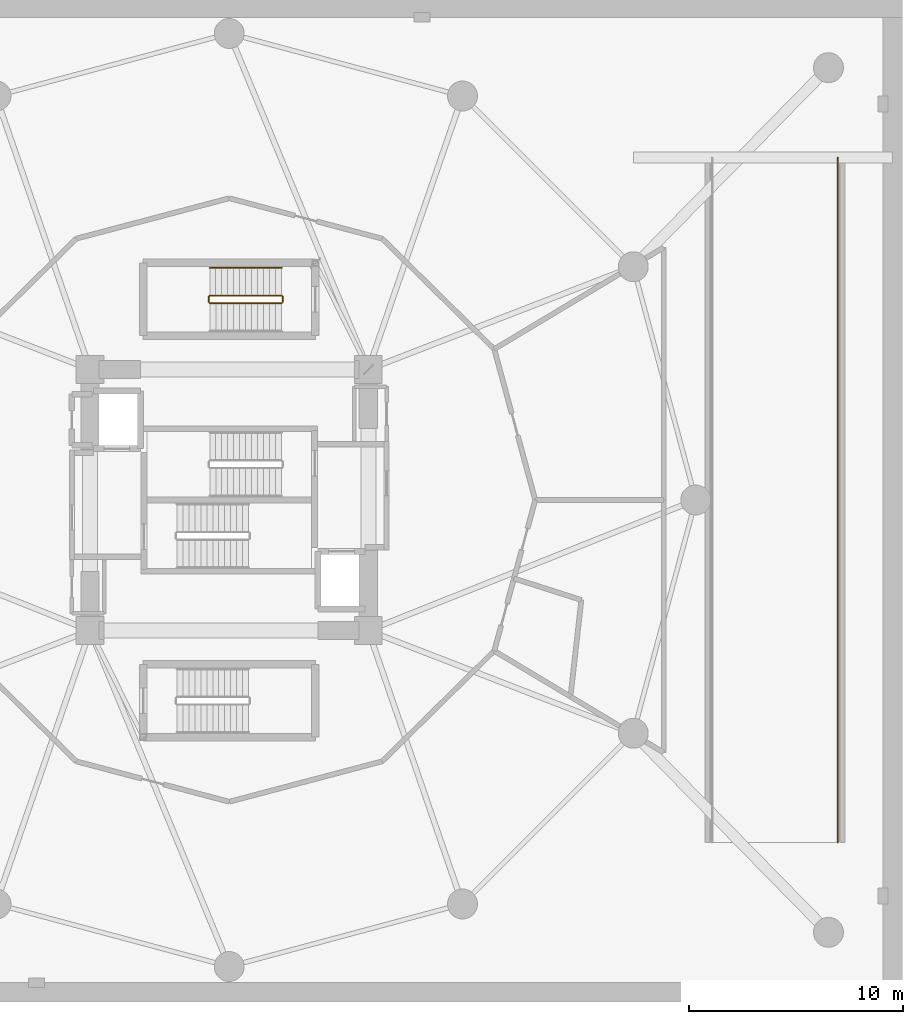
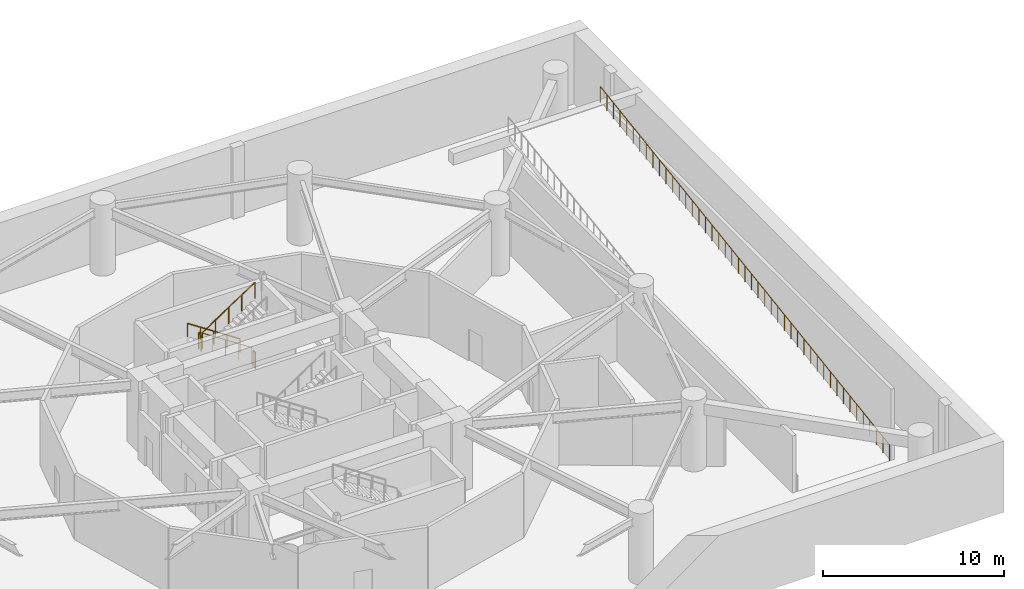
# One storey, part 10 of 10: 6 railings.
"""IFC4 building model written with IfcOpenShell, lengths in metres."""

from ifc_helpers import new_model, si_unit, direction, frame, origin, origin_2d, place, context, subcontext, project, spatial, circle, extrude, material, type_object, element, save


model = new_model("IFC4")

# Units and contexts
model_context = context("Model", 3, precision=1e-05, world=origin(), true_north=direction((0.0, 1.0)))
body_context = subcontext(model_context, "Body", "Model", "MODEL_VIEW")
ifc_project = project(units=[si_unit("LENGTHUNIT", "METRE"), si_unit("AREAUNIT", "SQUARE_METRE"), si_unit("VOLUMEUNIT", "CUBIC_METRE"), si_unit("PLANEANGLEUNIT", "RADIAN"), si_unit("MASSUNIT", "GRAM", prefix="KILO")], contexts=[model_context])

# Site, building, storey
site_placement = place(None, origin())
site = spatial("IfcSite", under=ifc_project, at=site_placement, CompositionType="ELEMENT")
building_placement = place(site_placement, origin())
building = spatial("IfcBuilding", under=site, at=building_placement, Name="Solvirekh Grand Hotel", CompositionType="ELEMENT")
storey_placement = place(building_placement, frame((0.0, 0.0, -4.800048828125)))
storey = spatial("IfcBuildingStorey", under=building, at=storey_placement, Name="B01", CompositionType="ELEMENT", Elevation=-4.800048828125)

# Railings
ifc_material_1 = material(Name="Steel S355", Category="steel")
railing_type_1 = type_object("IfcRailingType", Name="Guard_Stair_1100", PredefinedType="GUARDRAIL", material=ifc_material_1)
railing_1_placement = place(storey_placement, frame((28.43994140625, -16.0, 0.0)))
element("IfcRailing", 1, at=railing_1_placement, inside=storey, type_object=railing_type_1, Name="B01 vehicle ramp R2 E edge safety guardrail", PredefinedType="GUARDRAIL", context=body_context, shape_type="SweptSolid", body=[
    extrude(circle(Radius=0.02392578125, at=origin_2d()), frame((0.0, 0.0, 1.076171875), z_axis=(0.0, 0.988935024618, 0.148349307663), x_axis=(-1.0, 0.0, 0.0)), (0.0, 0.0, 1.0), 16.178955078125),
    extrude(circle(Radius=0.02392578125, at=origin_2d()), frame((0.0, 16.0, 3.47607421875), z_axis=(0.0, 0.988937238327, 0.148334549755), x_axis=(-1.0, 0.0, 0.0)), (0.0, 0.0, 1.0), 16.178955078125),
    extrude(circle(Radius=0.02099609375, at=origin_2d()), origin(), (0.0, 0.0, 1.0), 1.052001953125),
    extrude(circle(Radius=0.02099609375, at=origin_2d()), frame((0.0, 0.727294921875, 0.109130859375)), (0.0, 0.0, 1.0), 1.052001953125),
    extrude(circle(Radius=0.02099609375, at=origin_2d()), frame((0.0, 1.45458984375, 0.21826171875)), (0.0, 0.0, 1.0), 1.052001953125),
    extrude(circle(Radius=0.02099609375, at=origin_2d()), frame((0.0, 2.181884765625, 0.327392578125)), (0.0, 0.0, 1.0), 1.052001953125),
    extrude(circle(Radius=0.02099609375, at=origin_2d()), frame((0.0, 2.9091796875, 0.436279296875)), (0.0, 0.0, 1.0), 1.052001953125),
    extrude(circle(Radius=0.02099609375, at=origin_2d()), frame((0.0, 3.636474609375, 0.54541015625)), (0.0, 0.0, 1.0), 1.052001953125),
    extrude(circle(Radius=0.02099609375, at=origin_2d()), frame((0.0, 4.363525390625, 0.654541015625)), (0.0, 0.0, 1.0), 1.052001953125),
    extrude(circle(Radius=0.02099609375, at=origin_2d()), frame((0.0, 5.0908203125, 0.763671875)), (0.0, 0.0, 1.0), 1.052001953125),
    extrude(circle(Radius=0.02099609375, at=origin_2d()), frame((0.0, 5.818115234375, 0.872802734375)), (0.0, 0.0, 1.0), 1.052001953125),
    extrude(circle(Radius=0.02099609375, at=origin_2d()), frame((0.0, 6.54541015625, 0.98193359375)), (0.0, 0.0, 1.0), 1.052001953125),
    extrude(circle(Radius=0.02099609375, at=origin_2d()), frame((0.0, 7.272705078125, 1.091064453125)), (0.0, 0.0, 1.0), 1.052001953125),
    extrude(circle(Radius=0.02099609375, at=origin_2d()), frame((0.0, 8.0, 1.2001953125)), (0.0, 0.0, 1.0), 1.052001953125),
    extrude(circle(Radius=0.02099609375, at=origin_2d()), frame((0.0, 8.727294921875, 1.30908203125)), (0.0, 0.0, 1.0), 1.052001953125),
    extrude(circle(Radius=0.02099609375, at=origin_2d()), frame((0.0, 9.45458984375, 1.418212890625)), (0.0, 0.0, 1.0), 1.052001953125),
    extrude(circle(Radius=0.02099609375, at=origin_2d()), frame((0.0, 10.181884765625, 1.52734375)), (0.0, 0.0, 1.0), 1.052001953125),
    extrude(circle(Radius=0.02099609375, at=origin_2d()), frame((0.0, 10.9091796875, 1.636474609375)), (0.0, 0.0, 1.0), 1.052001953125),
    extrude(circle(Radius=0.02099609375, at=origin_2d()), frame((0.0, 11.636474609375, 1.74560546875)), (0.0, 0.0, 1.0), 1.052001953125),
    extrude(circle(Radius=0.02099609375, at=origin_2d()), frame((0.0, 12.363525390625, 1.854736328125)), (0.0, 0.0, 1.0), 1.052001953125),
    extrude(circle(Radius=0.02099609375, at=origin_2d()), frame((0.0, 13.0908203125, 1.9638671875)), (0.0, 0.0, 1.0), 1.052001953125),
    extrude(circle(Radius=0.02099609375, at=origin_2d()), frame((0.0, 13.818115234375, 2.07275390625)), (0.0, 0.0, 1.0), 1.052001953125),
    extrude(circle(Radius=0.02099609375, at=origin_2d()), frame((0.0, 14.54541015625, 2.181884765625)), (0.0, 0.0, 1.0), 1.052001953125),
    extrude(circle(Radius=0.02099609375, at=origin_2d()), frame((0.0, 15.272705078125, 2.291015625)), (0.0, 0.0, 1.0), 1.052001953125),
    extrude(circle(Radius=0.02099609375, at=origin_2d()), frame((0.0, 16.0, 2.400146484375)), (0.0, 0.0, 1.0), 1.052001953125),
    extrude(circle(Radius=0.02099609375, at=origin_2d()), frame((0.0, 16.727294921875, 2.50927734375)), (0.0, 0.0, 1.0), 1.052001953125),
    extrude(circle(Radius=0.02099609375, at=origin_2d()), frame((0.0, 17.45458984375, 2.618408203125)), (0.0, 0.0, 1.0), 1.052001953125),
    extrude(circle(Radius=0.02099609375, at=origin_2d()), frame((0.0, 18.181884765625, 2.727294921875)), (0.0, 0.0, 1.0), 1.052001953125),
    extrude(circle(Radius=0.02099609375, at=origin_2d()), frame((0.0, 18.9091796875, 2.83642578125)), (0.0, 0.0, 1.0), 1.052001953125),
    extrude(circle(Radius=0.02099609375, at=origin_2d()), frame((0.0, 19.636474609375, 2.945556640625)), (0.0, 0.0, 1.0), 1.052001953125),
    extrude(circle(Radius=0.02099609375, at=origin_2d()), frame((0.0, 20.363525390625, 3.0546875)), (0.0, 0.0, 1.0), 1.052001953125),
    extrude(circle(Radius=0.02099609375, at=origin_2d()), frame((0.0, 21.0908203125, 3.163818359375)), (0.0, 0.0, 1.0), 1.052001953125),
    extrude(circle(Radius=0.02099609375, at=origin_2d()), frame((0.0, 21.818115234375, 3.27294921875)), (0.0, 0.0, 1.0), 1.052001953125),
    extrude(circle(Radius=0.02099609375, at=origin_2d()), frame((0.0, 22.54541015625, 3.3818359375)), (0.0, 0.0, 1.0), 1.052001953125),
    extrude(circle(Radius=0.02099609375, at=origin_2d()), frame((0.0, 23.272705078125, 3.490966796875)), (0.0, 0.0, 1.0), 1.052001953125),
    extrude(circle(Radius=0.02099609375, at=origin_2d()), frame((0.0, 24.0, 3.60009765625)), (0.0, 0.0, 1.0), 1.052001953125),
    extrude(circle(Radius=0.02099609375, at=origin_2d()), frame((0.0, 24.727294921875, 3.709228515625)), (0.0, 0.0, 1.0), 1.052001953125),
    extrude(circle(Radius=0.02099609375, at=origin_2d()), frame((0.0, 25.45458984375, 3.818359375)), (0.0, 0.0, 1.0), 1.052001953125),
    extrude(circle(Radius=0.02099609375, at=origin_2d()), frame((0.0, 26.181884765625, 3.92724609375)), (0.0, 0.0, 1.0), 1.052001953125),
    extrude(circle(Radius=0.02099609375, at=origin_2d()), frame((0.0, 26.9091796875, 4.036376953125)), (0.0, 0.0, 1.0), 1.052001953125),
    extrude(circle(Radius=0.02099609375, at=origin_2d()), frame((0.0, 27.636474609375, 4.1455078125)), (0.0, 0.0, 1.0), 1.052001953125),
    extrude(circle(Radius=0.02099609375, at=origin_2d()), frame((0.0, 28.363525390625, 4.254638671875)), (0.0, 0.0, 1.0), 1.052001953125),
    extrude(circle(Radius=0.02099609375, at=origin_2d()), frame((0.0, 29.0908203125, 4.36376953125)), (0.0, 0.0, 1.0), 1.052001953125),
    extrude(circle(Radius=0.02099609375, at=origin_2d()), frame((0.0, 29.818115234375, 4.472900390625)), (0.0, 0.0, 1.0), 1.052001953125),
    extrude(circle(Radius=0.02099609375, at=origin_2d()), frame((0.0, 30.54541015625, 4.581787109375)), (0.0, 0.0, 1.0), 1.052001953125),
    extrude(circle(Radius=0.02099609375, at=origin_2d()), frame((0.0, 31.272705078125, 4.69091796875)), (0.0, 0.0, 1.0), 1.052001953125),
    extrude(circle(Radius=0.02099609375, at=origin_2d()), frame((0.0, 32.0, 4.800048828125)), (0.0, 0.0, 1.0), 1.052001953125),
])
railing_2_placement = place(storey_placement, frame((2.449951171875, 9.550048828125, 0.1845703125)))
element("IfcRailing", 2, at=railing_2_placement, inside=storey, type_object=railing_type_1, Name="B01 ST-4 stair guard 1", PredefinedType="GUARDRAIL", context=body_context, shape_type="SweptSolid", body=[
    extrude(circle(Radius=0.02392578125, at=origin_2d()), frame((0.0, 0.0, 1.076171875), z_axis=(-0.83483021737, 0.0, 0.550507500554), x_axis=(0.0, -1.0, 0.0)), (0.0, 0.0, 1.0), 4.024658203125),
    extrude(circle(Radius=0.02099609375, at=origin_2d()), origin(), (0.0, 0.0, 1.0), 1.052001953125),
    extrude(circle(Radius=0.02099609375, at=origin_2d()), frame((-0.83984375, 0.0, 0.553955078125)), (0.0, 0.0, 1.0), 1.052001953125),
    extrude(circle(Radius=0.02099609375, at=origin_2d()), frame((-1.679931640625, 0.0, 1.10791015625)), (0.0, 0.0, 1.0), 1.052001953125),
    extrude(circle(Radius=0.02099609375, at=origin_2d()), frame((-2.52001953125, 0.0, 1.66162109375)), (0.0, 0.0, 1.0), 1.052001953125),
    extrude(circle(Radius=0.02099609375, at=origin_2d()), frame((-3.35986328125, 0.0, 2.215576171875)), (0.0, 0.0, 1.0), 1.052001953125),
])
railing_3_placement = place(storey_placement, frame((-0.9599609375, 9.5, 2.400146484375)))
element("IfcRailing", 3, at=railing_3_placement, inside=storey, type_object=railing_type_1, Name="B01 ST-4 stair guard 2", PredefinedType="GUARDRAIL", context=body_context, shape_type="SweptSolid", body=[
    extrude(circle(Radius=0.02392578125, at=origin_2d()), frame((0.0, 0.0, 1.076171875), z_axis=(0.0, -1.0, 0.0), x_axis=(1.0, 0.0, 0.0)), (0.0, 0.0, 1.0), 0.25),
    extrude(circle(Radius=0.02099609375, at=origin_2d()), origin(), (0.0, 0.0, 1.0), 1.052001953125),
    extrude(circle(Radius=0.02099609375, at=origin_2d()), frame((0.0, -0.25, 0.0)), (0.0, 0.0, 1.0), 1.052001953125),
])
railing_4_placement = place(storey_placement, frame((-0.909912109375, 9.199951171875, 2.584716796875)))
element("IfcRailing", 4, at=railing_4_placement, inside=storey, type_object=railing_type_1, Name="B01 ST-4 stair guard 3", PredefinedType="GUARDRAIL", context=body_context, shape_type="SweptSolid", body=[
    extrude(circle(Radius=0.02392578125, at=origin_2d()), frame((0.0, 0.0, 1.076171875), z_axis=(0.834858096282, 0.0, 0.550465220583), x_axis=(0.0, 1.0, 0.0)), (0.0, 0.0, 1.0), 4.0244140625),
    extrude(circle(Radius=0.02099609375, at=origin_2d()), origin(), (0.0, 0.0, 1.0), 1.052001953125),
    extrude(circle(Radius=0.02099609375, at=origin_2d()), frame((0.83984375, 0.0, 0.5537109375)), (0.0, 0.0, 1.0), 1.052001953125),
    extrude(circle(Radius=0.02099609375, at=origin_2d()), frame((1.679931640625, 0.0, 1.107666015625)), (0.0, 0.0, 1.0), 1.052001953125),
    extrude(circle(Radius=0.02099609375, at=origin_2d()), frame((2.52001953125, 0.0, 1.66162109375)), (0.0, 0.0, 1.0), 1.052001953125),
    extrude(circle(Radius=0.02099609375, at=origin_2d()), frame((3.35986328125, 0.0, 2.21533203125)), (0.0, 0.0, 1.0), 1.052001953125),
])
railing_5_placement = place(storey_placement, frame((2.5, 9.5, 0.0)))
element("IfcRailing", 5, at=railing_5_placement, inside=storey, type_object=railing_type_1, Name="B01 ST-4 stair guard 4", PredefinedType="GUARDRAIL", context=body_context, shape_type="SweptSolid", body=[
    extrude(circle(Radius=0.02392578125, at=origin_2d()), frame((0.0, 0.0, 1.076171875), z_axis=(0.0, -1.0, 0.0), x_axis=(1.0, 0.0, 0.0)), (0.0, 0.0, 1.0), 0.25),
    extrude(circle(Radius=0.02099609375, at=origin_2d()), origin(), (0.0, 0.0, 1.0), 1.052001953125),
    extrude(circle(Radius=0.02099609375, at=origin_2d()), frame((0.0, -0.25, 0.0)), (0.0, 0.0, 1.0), 1.052001953125),
])
ifc_material_2 = material(Name="Anodized Bronze Aluminium 6063-T6", Category="aluminium")
railing_type_2 = type_object("IfcRailingType", Name="Handrail_Wall_900", PredefinedType="HANDRAIL", material=ifc_material_2)
railing_6_placement = place(storey_placement, frame((2.449951171875, 10.85009765625, 0.1845703125)))
element("IfcRailing", 6, at=railing_6_placement, inside=storey, type_object=railing_type_2, Name="B01 ST-4 stair handrail 1", PredefinedType="HANDRAIL", context=body_context, shape_type="SweptSolid", body=[
    extrude(circle(Radius=0.02392578125, at=origin_2d()), frame((0.0, 0.0, 0.8759765625), z_axis=(-0.83483021737, 0.0, 0.550507500554), x_axis=(0.0, -1.0, 0.0)), (0.0, 0.0, 1.0), 4.024658203125),
    extrude(circle(Radius=0.02099609375, at=origin_2d()), origin(), (0.0, 0.0, 1.0), 0.851806640625),
    extrude(circle(Radius=0.02099609375, at=origin_2d()), frame((-0.83984375, 0.0, 0.553955078125)), (0.0, 0.0, 1.0), 0.851806640625),
    extrude(circle(Radius=0.02099609375, at=origin_2d()), frame((-1.679931640625, 0.0, 1.10791015625)), (0.0, 0.0, 1.0), 0.851806640625),
    extrude(circle(Radius=0.02099609375, at=origin_2d()), frame((-2.52001953125, 0.0, 1.66162109375)), (0.0, 0.0, 1.0), 0.851806640625),
    extrude(circle(Radius=0.02099609375, at=origin_2d()), frame((-3.35986328125, 0.0, 2.215576171875)), (0.0, 0.0, 1.0), 0.851806640625),
])

save(model, "model.ifc")
